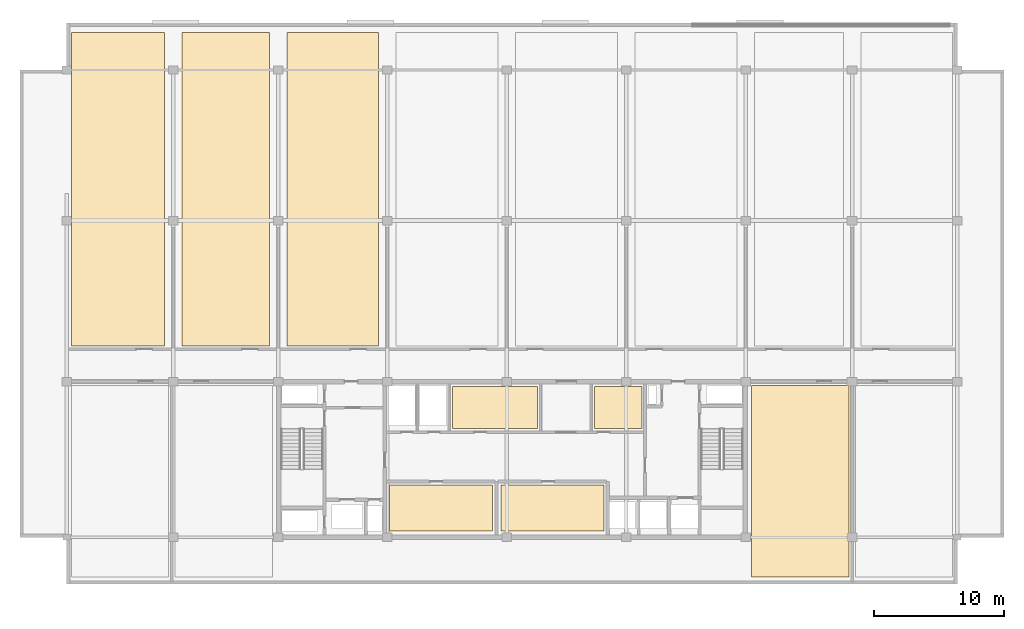
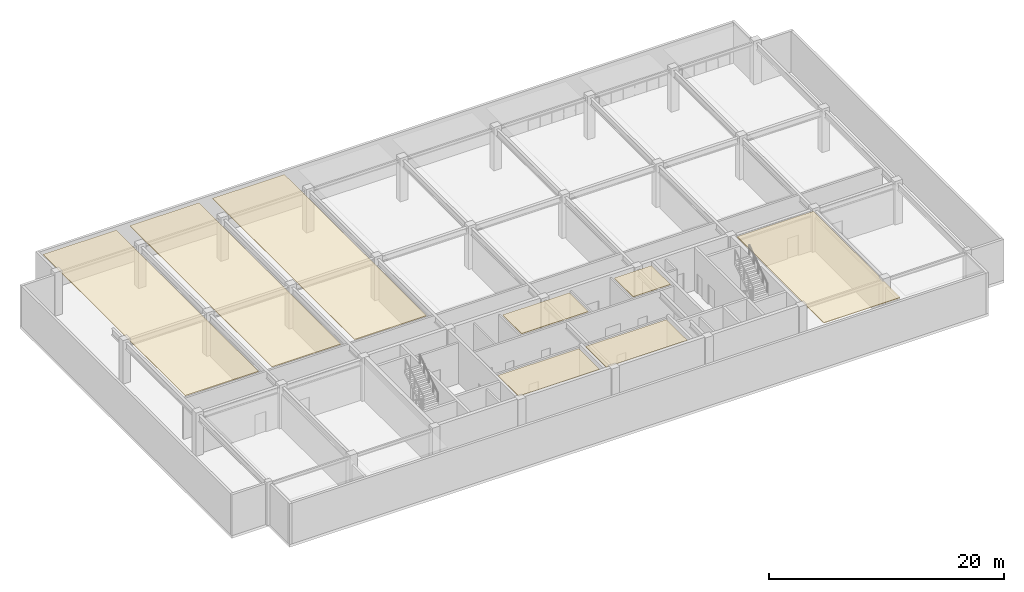
# One storey, part 7 of 9: 8 coverings.
"""IFC4 building model written with IfcOpenShell, lengths in metres."""

from ifc_helpers import new_model, si_unit, direction, frame, origin, place, context, subcontext, project, spatial, polyline, outline, extrude, material, layer, layer_set, type_object, element, save


model = new_model("IFC4")

# Units and contexts
model_context = context("Model", 3, precision=1e-05, world=origin(), true_north=direction((0.0, 1.0)))
body_context = subcontext(model_context, "Body", "Model", "MODEL_VIEW")
ifc_project = project(units=[si_unit("LENGTHUNIT", "METRE"), si_unit("AREAUNIT", "SQUARE_METRE"), si_unit("VOLUMEUNIT", "CUBIC_METRE"), si_unit("PLANEANGLEUNIT", "RADIAN"), si_unit("MASSUNIT", "GRAM", prefix="KILO")], contexts=[model_context])

# Site, building, storey
site_placement = place(None, origin())
site = spatial("IfcSite", under=ifc_project, at=site_placement, CompositionType="ELEMENT")
building_placement = place(site_placement, origin())
building = spatial("IfcBuilding", under=site, at=building_placement, Name="Korimba Cascade Residences", CompositionType="ELEMENT")
storey_placement = place(building_placement, frame((0.0, 0.0, 259.699951171875)))
storey = spatial("IfcBuildingStorey", under=building, at=storey_placement, Name="L75", CompositionType="ELEMENT", Elevation=259.699951171875)

# Coverings
ifc_material = material(Name="Mineral Wool Thermal Acoustic Insulation", Category="insulation")
ifc_layer = layer(ifc_material, 0.06005859375)
ifc_layer_set = layer_set([ifc_layer], Name="Mineral Wool Thermal Acoustic Insulation")
covering_type = type_object("IfcCoveringType", Name="COV-INS-60", PredefinedType="INSULATION", material=ifc_layer_set)
covering_1_placement = place(storey_placement, frame((0.0, 0.0, 4.170166015625)))
element("IfcCovering", 1, at=covering_1_placement, inside=storey, type_object=covering_type, Name="L75 Mineral Wool Acoustic Soffit Insulation L75-SR1", PredefinedType="INSULATION", context=body_context, shape_type="SweptSolid", body=[
    extrude(outline(polyline([(84.64990234375, 55.699951171875), (92.60009765625, 55.699951171875), (92.60009765625, 59.22998046875), (84.64990234375, 59.22998046875), (84.64990234375, 55.699951171875)])), origin(), (0.0, 0.0, 1.0), 0.059814453125),
])
covering_2_placement = place(storey_placement, frame((0.0, 0.0, 4.170166015625)))
element("IfcCovering", 2, at=covering_2_placement, inside=storey, type_object=covering_type, Name="L75 Mineral Wool Acoustic Soffit Insulation L75-WCEL1", PredefinedType="INSULATION", context=body_context, shape_type="SweptSolid", body=[
    extrude(outline(polyline([(93.25, 55.699951171875), (101.199951171875, 55.699951171875), (101.199951171875, 59.22998046875), (93.25, 59.22998046875), (93.25, 55.699951171875)])), origin(), (0.0, 0.0, 1.0), 0.059814453125),
])
covering_3_placement = place(storey_placement, frame((0.0, 0.0, 4.170166015625)))
element("IfcCovering", 3, at=covering_3_placement, inside=storey, type_object=covering_type, Name="L75 Mineral Wool Acoustic Soffit Insulation L75-HK1", PredefinedType="INSULATION", context=body_context, shape_type="SweptSolid", body=[
    extrude(outline(polyline([(89.5, 63.60009765625), (96.050048828125, 63.60009765625), (96.050048828125, 66.800048828125), (89.5, 66.800048828125), (89.5, 63.60009765625)])), origin(), (0.0, 0.0, 1.0), 0.059814453125),
])
covering_4_placement = place(storey_placement, frame((0.0, 0.0, 4.170166015625)))
element("IfcCovering", 4, at=covering_4_placement, inside=storey, type_object=covering_type, Name="L75 Mineral Wool Acoustic Soffit Insulation L75-BS1", PredefinedType="INSULATION", context=body_context, shape_type="SweptSolid", body=[
    extrude(outline(polyline([(100.449951171875, 63.60009765625), (104.10009765625, 63.60009765625), (104.10009765625, 66.800048828125), (100.449951171875, 66.800048828125), (100.449951171875, 63.60009765625)])), origin(), (0.0, 0.0, 1.0), 0.059814453125),
])
covering_5_placement = place(storey_placement, frame((0.0, 0.0, 4.170166015625)))
element("IfcCovering", 5, at=covering_5_placement, inside=storey, type_object=covering_type, Name="L75 Mineral Wool Acoustic Soffit Insulation L75-PL11", PredefinedType="INSULATION", context=body_context, shape_type="SweptSolid", body=[
    extrude(outline(polyline([(60.14990234375, 69.949951171875), (67.330078125, 69.949951171875), (67.330078125, 94.10009765625), (60.14990234375, 94.10009765625), (60.14990234375, 69.949951171875)])), origin(), (0.0, 0.0, 1.0), 0.059814453125),
])
covering_6_placement = place(storey_placement, frame((0.0, 0.0, 4.170166015625)))
element("IfcCovering", 6, at=covering_6_placement, inside=storey, type_object=covering_type, Name="L75 Mineral Wool Acoustic Soffit Insulation L75-PL12", PredefinedType="INSULATION", context=body_context, shape_type="SweptSolid", body=[
    extrude(outline(polyline([(68.669921875, 69.949951171875), (75.429931640625, 69.949951171875), (75.429931640625, 94.10009765625), (68.669921875, 94.10009765625), (68.669921875, 69.949951171875)])), origin(), (0.0, 0.0, 1.0), 0.059814453125),
])
covering_7_placement = place(storey_placement, frame((0.0, 0.0, 4.170166015625)))
element("IfcCovering", 7, at=covering_7_placement, inside=storey, type_object=covering_type, Name="L75 Mineral Wool Acoustic Soffit Insulation L75-PL13", PredefinedType="INSULATION", context=body_context, shape_type="SweptSolid", body=[
    extrude(outline(polyline([(76.77001953125, 69.949951171875), (83.830078125, 69.949951171875), (83.830078125, 94.10009765625), (76.77001953125, 94.10009765625), (76.77001953125, 69.949951171875)])), origin(), (0.0, 0.0, 1.0), 0.059814453125),
])
covering_8_placement = place(storey_placement, frame((0.0, 0.0, 4.170166015625)))
element("IfcCovering", 8, at=covering_8_placement, inside=storey, type_object=covering_type, Name="L75 Mineral Wool Acoustic Soffit Insulation L75-RWE1", PredefinedType="INSULATION", context=body_context, shape_type="SweptSolid", body=[
    extrude(outline(polyline([(112.550048828125, 52.14990234375), (120.050048828125, 52.14990234375), (120.050048828125, 66.89990234375), (112.550048828125, 66.89990234375), (112.550048828125, 52.14990234375)])), origin(), (0.0, 0.0, 1.0), 0.059814453125),
])

save(model, "model.ifc")
